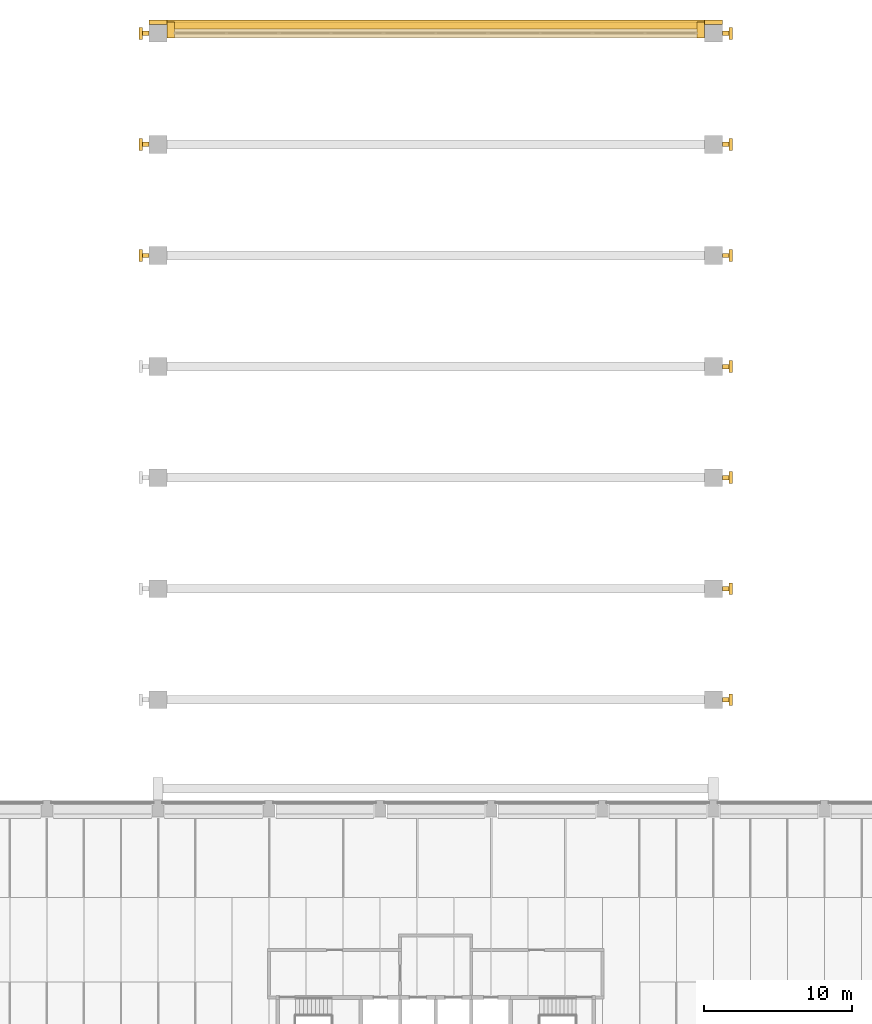
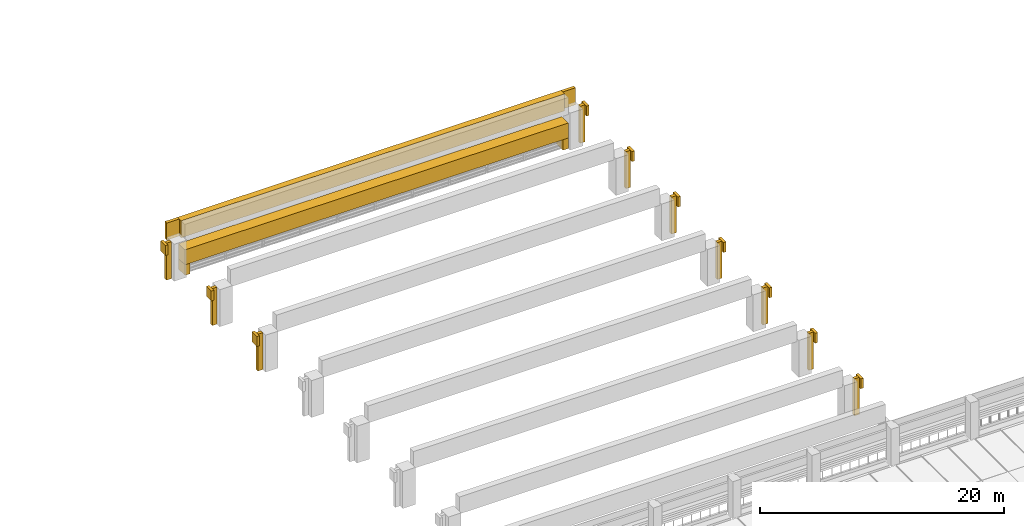
# One storey, part 50 of 61: 26 coverings.
"""IFC4 building model written with IfcOpenShell, lengths in metres."""

from ifc_helpers import new_model, si_unit, direction, frame, origin, place, context, subcontext, project, spatial, polyline, outline, extrude, material, layer, layer_set, type_object, element, save


model = new_model("IFC4")

# Units and contexts
model_context = context("Model", 3, precision=1e-05, world=origin(), true_north=direction((0.0, 1.0)))
body_context = subcontext(model_context, "Body", "Model", "MODEL_VIEW")
ifc_project = project(units=[si_unit("LENGTHUNIT", "METRE"), si_unit("AREAUNIT", "SQUARE_METRE"), si_unit("VOLUMEUNIT", "CUBIC_METRE"), si_unit("PLANEANGLEUNIT", "RADIAN"), si_unit("MASSUNIT", "GRAM", prefix="KILO")], contexts=[model_context])

# Site, building, storey
site_placement = place(None, origin())
site = spatial("IfcSite", under=ifc_project, at=site_placement, CompositionType="ELEMENT")
building_placement = place(site_placement, origin())
building = spatial("IfcBuilding", under=site, at=building_placement, Name="Cour d'Honneur Mobility Palace", CompositionType="ELEMENT")
storey_placement = place(building_placement, frame((0.0, 0.0, 11.89990234375)))
storey = spatial("IfcBuildingStorey", under=building, at=storey_placement, Name="L03", CompositionType="ELEMENT", Elevation=11.89990234375)

# Coverings
ifc_material_1 = material(Name="Cast limestone", Category="masonry")
ifc_layer_1 = layer(ifc_material_1, 0.300048828125)
ifc_layer_set_1 = layer_set([ifc_layer_1], Name="Cast limestone")
covering_type_1 = type_object("IfcCoveringType", Name="Pier fin", PredefinedType="CLADDING", material=ifc_layer_set_1)
covering_1_placement = place(storey_placement, origin())
element("IfcCovering", 1, at=covering_1_placement, inside=storey, type_object=covering_type_1, Name="Pier fin HP-E2 L03", PredefinedType="CLADDING", context=body_context, shape_type="SweptSolid", body=[
    extrude(outline(polyline([(100.5, 69.75), (100.949951171875, 69.75), (100.949951171875, 70.050048828125), (100.5, 70.050048828125), (100.5, 69.75)])), origin(), (0.0, 0.0, 1.0), 3.7001953125),
])
covering_2_placement = place(storey_placement, origin())
element("IfcCovering", 2, at=covering_2_placement, inside=storey, type_object=covering_type_1, Name="Pier fin HP-E3 L03", PredefinedType="CLADDING", context=body_context, shape_type="SweptSolid", body=[
    extrude(outline(polyline([(100.5, 77.25), (100.949951171875, 77.25), (100.949951171875, 77.550048828125), (100.5, 77.550048828125), (100.5, 77.25)])), origin(), (0.0, 0.0, 1.0), 3.7001953125),
])
covering_3_placement = place(storey_placement, origin())
element("IfcCovering", 3, at=covering_3_placement, inside=storey, type_object=covering_type_1, Name="Pier fin HP-E4 L03", PredefinedType="CLADDING", context=body_context, shape_type="SweptSolid", body=[
    extrude(outline(polyline([(100.5, 84.75), (100.949951171875, 84.75), (100.949951171875, 85.050048828125), (100.5, 85.050048828125), (100.5, 84.75)])), origin(), (0.0, 0.0, 1.0), 3.7001953125),
])
covering_4_placement = place(storey_placement, origin())
element("IfcCovering", 4, at=covering_4_placement, inside=storey, type_object=covering_type_1, Name="Pier fin HP-E5 L03", PredefinedType="CLADDING", context=body_context, shape_type="SweptSolid", body=[
    extrude(outline(polyline([(100.5, 92.25), (100.949951171875, 92.25), (100.949951171875, 92.550048828125), (100.5, 92.550048828125), (100.5, 92.25)])), origin(), (0.0, 0.0, 1.0), 3.7001953125),
])
covering_5_placement = place(storey_placement, origin())
element("IfcCovering", 5, at=covering_5_placement, inside=storey, type_object=covering_type_1, Name="Pier fin HP-W6 L03", PredefinedType="CLADDING", context=body_context, shape_type="SweptSolid", body=[
    extrude(outline(polyline([(61.35009765625, 99.75), (61.800048828125, 99.75), (61.800048828125, 100.050048828125), (61.35009765625, 100.050048828125), (61.35009765625, 99.75)])), origin(), (0.0, 0.0, 1.0), 3.7001953125),
])
covering_6_placement = place(storey_placement, origin())
element("IfcCovering", 6, at=covering_6_placement, inside=storey, type_object=covering_type_1, Name="Pier fin HP-E6 L03", PredefinedType="CLADDING", context=body_context, shape_type="SweptSolid", body=[
    extrude(outline(polyline([(100.5, 99.75), (100.949951171875, 99.75), (100.949951171875, 100.050048828125), (100.5, 100.050048828125), (100.5, 99.75)])), origin(), (0.0, 0.0, 1.0), 3.7001953125),
])
covering_7_placement = place(storey_placement, origin())
element("IfcCovering", 7, at=covering_7_placement, inside=storey, type_object=covering_type_1, Name="Pier fin HP-W7 L03", PredefinedType="CLADDING", context=body_context, shape_type="SweptSolid", body=[
    extrude(outline(polyline([(61.35009765625, 107.25), (61.800048828125, 107.25), (61.800048828125, 107.550048828125), (61.35009765625, 107.550048828125), (61.35009765625, 107.25)])), origin(), (0.0, 0.0, 1.0), 3.7001953125),
])
covering_8_placement = place(storey_placement, origin())
element("IfcCovering", 8, at=covering_8_placement, inside=storey, type_object=covering_type_1, Name="Pier fin HP-E7 L03", PredefinedType="CLADDING", context=body_context, shape_type="SweptSolid", body=[
    extrude(outline(polyline([(100.5, 107.25), (100.949951171875, 107.25), (100.949951171875, 107.550048828125), (100.5, 107.550048828125), (100.5, 107.25)])), origin(), (0.0, 0.0, 1.0), 3.7001953125),
])
covering_9_placement = place(storey_placement, origin())
element("IfcCovering", 9, at=covering_9_placement, inside=storey, type_object=covering_type_1, Name="Pier fin HP-W8 L03", PredefinedType="CLADDING", context=body_context, shape_type="SweptSolid", body=[
    extrude(outline(polyline([(61.35009765625, 114.75), (61.800048828125, 114.75), (61.800048828125, 115.050048828125), (61.35009765625, 115.050048828125), (61.35009765625, 114.75)])), origin(), (0.0, 0.0, 1.0), 3.7001953125),
])
covering_10_placement = place(storey_placement, origin())
element("IfcCovering", 10, at=covering_10_placement, inside=storey, type_object=covering_type_1, Name="Pier fin HP-E8 L03", PredefinedType="CLADDING", context=body_context, shape_type="SweptSolid", body=[
    extrude(outline(polyline([(100.5, 114.75), (100.949951171875, 114.75), (100.949951171875, 115.050048828125), (100.5, 115.050048828125), (100.5, 114.75)])), origin(), (0.0, 0.0, 1.0), 3.7001953125),
])
ifc_material_2 = material(Name="Cast limestone", Category="masonry")
ifc_layer_2 = layer(ifc_material_2, 0.1201171875)
ifc_layer_set_2 = layer_set([ifc_layer_2], Name="Cast limestone")
covering_type_2 = type_object("IfcCoveringType", Name="Pilaster capital", PredefinedType="CLADDING", material=ifc_layer_set_2)
covering_11_placement = place(storey_placement, frame((0.0, 0.0, 2.7001953125)))
element("IfcCovering", 11, at=covering_11_placement, inside=storey, type_object=covering_type_2, Name="Hall pilaster capital HP-E2", PredefinedType="CLADDING", context=body_context, shape_type="SweptSolid", body=[
    extrude(outline(polyline([(100.949951171875, 69.5), (101.199951171875, 69.5), (101.199951171875, 70.300048828125), (100.949951171875, 70.300048828125), (100.949951171875, 69.5)])), origin(), (0.0, 0.0, 1.0), 1.0),
])
covering_12_placement = place(storey_placement, frame((0.0, 0.0, 2.7001953125)))
element("IfcCovering", 12, at=covering_12_placement, inside=storey, type_object=covering_type_2, Name="Hall pilaster capital HP-E3", PredefinedType="CLADDING", context=body_context, shape_type="SweptSolid", body=[
    extrude(outline(polyline([(100.949951171875, 77.0), (101.199951171875, 77.0), (101.199951171875, 77.800048828125), (100.949951171875, 77.800048828125), (100.949951171875, 77.0)])), origin(), (0.0, 0.0, 1.0), 1.0),
])
covering_13_placement = place(storey_placement, frame((0.0, 0.0, 2.7001953125)))
element("IfcCovering", 13, at=covering_13_placement, inside=storey, type_object=covering_type_2, Name="Hall pilaster capital HP-E4", PredefinedType="CLADDING", context=body_context, shape_type="SweptSolid", body=[
    extrude(outline(polyline([(100.949951171875, 84.5), (101.199951171875, 84.5), (101.199951171875, 85.300048828125), (100.949951171875, 85.300048828125), (100.949951171875, 84.5)])), origin(), (0.0, 0.0, 1.0), 1.0),
])
covering_14_placement = place(storey_placement, frame((0.0, 0.0, 2.7001953125)))
element("IfcCovering", 14, at=covering_14_placement, inside=storey, type_object=covering_type_2, Name="Hall pilaster capital HP-E5", PredefinedType="CLADDING", context=body_context, shape_type="SweptSolid", body=[
    extrude(outline(polyline([(100.949951171875, 92.0), (101.199951171875, 92.0), (101.199951171875, 92.800048828125), (100.949951171875, 92.800048828125), (100.949951171875, 92.0)])), origin(), (0.0, 0.0, 1.0), 1.0),
])
covering_15_placement = place(storey_placement, frame((0.0, 0.0, 2.7001953125)))
element("IfcCovering", 15, at=covering_15_placement, inside=storey, type_object=covering_type_2, Name="Hall pilaster capital HP-W6", PredefinedType="CLADDING", context=body_context, shape_type="SweptSolid", body=[
    extrude(outline(polyline([(61.10009765625, 99.5), (61.35009765625, 99.5), (61.35009765625, 100.300048828125), (61.10009765625, 100.300048828125), (61.10009765625, 99.5)])), origin(), (0.0, 0.0, 1.0), 1.0),
])
covering_16_placement = place(storey_placement, frame((0.0, 0.0, 2.7001953125)))
element("IfcCovering", 16, at=covering_16_placement, inside=storey, type_object=covering_type_2, Name="Hall pilaster capital HP-E6", PredefinedType="CLADDING", context=body_context, shape_type="SweptSolid", body=[
    extrude(outline(polyline([(100.949951171875, 99.5), (101.199951171875, 99.5), (101.199951171875, 100.300048828125), (100.949951171875, 100.300048828125), (100.949951171875, 99.5)])), origin(), (0.0, 0.0, 1.0), 1.0),
])
covering_17_placement = place(storey_placement, frame((0.0, 0.0, 2.7001953125)))
element("IfcCovering", 17, at=covering_17_placement, inside=storey, type_object=covering_type_2, Name="Hall pilaster capital HP-W7", PredefinedType="CLADDING", context=body_context, shape_type="SweptSolid", body=[
    extrude(outline(polyline([(61.10009765625, 107.0), (61.35009765625, 107.0), (61.35009765625, 107.800048828125), (61.10009765625, 107.800048828125), (61.10009765625, 107.0)])), origin(), (0.0, 0.0, 1.0), 1.0),
])
covering_18_placement = place(storey_placement, frame((0.0, 0.0, 2.7001953125)))
element("IfcCovering", 18, at=covering_18_placement, inside=storey, type_object=covering_type_2, Name="Hall pilaster capital HP-E7", PredefinedType="CLADDING", context=body_context, shape_type="SweptSolid", body=[
    extrude(outline(polyline([(100.949951171875, 107.0), (101.199951171875, 107.0), (101.199951171875, 107.800048828125), (100.949951171875, 107.800048828125), (100.949951171875, 107.0)])), origin(), (0.0, 0.0, 1.0), 1.0),
])
covering_19_placement = place(storey_placement, frame((0.0, 0.0, 2.7001953125)))
element("IfcCovering", 19, at=covering_19_placement, inside=storey, type_object=covering_type_2, Name="Hall pilaster capital HP-W8", PredefinedType="CLADDING", context=body_context, shape_type="SweptSolid", body=[
    extrude(outline(polyline([(61.10009765625, 114.5), (61.35009765625, 114.5), (61.35009765625, 115.300048828125), (61.10009765625, 115.300048828125), (61.10009765625, 114.5)])), origin(), (0.0, 0.0, 1.0), 1.0),
])
covering_20_placement = place(storey_placement, frame((0.0, 0.0, 2.7001953125)))
element("IfcCovering", 20, at=covering_20_placement, inside=storey, type_object=covering_type_2, Name="Hall pilaster capital HP-E8", PredefinedType="CLADDING", context=body_context, shape_type="SweptSolid", body=[
    extrude(outline(polyline([(100.949951171875, 114.5), (101.199951171875, 114.5), (101.199951171875, 115.300048828125), (100.949951171875, 115.300048828125), (100.949951171875, 114.5)])), origin(), (0.0, 0.0, 1.0), 1.0),
])
ifc_material_3 = material(Name="Cast limestone", Category="masonry")
ifc_layer_3 = layer(ifc_material_3, 0.75)
ifc_layer_set_3 = layer_set([ifc_layer_3], Name="Cast limestone")
covering_type_3 = type_object("IfcCoveringType", Name="Portal architrave", PredefinedType="CLADDING", material=ifc_layer_set_3)
covering_21_placement = place(storey_placement, origin())
element("IfcCovering", 21, at=covering_21_placement, inside=storey, type_object=covering_type_3, Name="Portal jamb L03", PredefinedType="CLADDING", context=body_context, shape_type="SweptSolid", body=[
    extrude(outline(polyline([(63.0, 114.60009765625), (63.5, 114.60009765625), (63.5, 115.64990234375), (63.0, 115.64990234375), (63.0, 114.60009765625)])), origin(), (0.0, 0.0, 1.0), 1.050048828125),
])
covering_22_placement = place(storey_placement, origin())
element("IfcCovering", 22, at=covering_22_placement, inside=storey, type_object=covering_type_3, Name="Portal jamb L03", PredefinedType="CLADDING", context=body_context, shape_type="SweptSolid", body=[
    extrude(outline(polyline([(98.800048828125, 114.60009765625), (99.300048828125, 114.60009765625), (99.300048828125, 115.64990234375), (98.800048828125, 115.64990234375), (98.800048828125, 114.60009765625)])), origin(), (0.0, 0.0, 1.0), 1.050048828125),
])
covering_23_placement = place(storey_placement, frame((0.0, 0.0, 1.050048828125)))
element("IfcCovering", 23, at=covering_23_placement, inside=storey, type_object=covering_type_3, Name="Portal lintel L03", PredefinedType="CLADDING", context=body_context, shape_type="SweptSolid", body=[
    extrude(outline(polyline([(63.0, 114.60009765625), (99.300048828125, 114.60009765625), (99.300048828125, 115.64990234375), (63.0, 115.64990234375), (63.0, 114.60009765625)])), origin(), (0.0, 0.0, 1.0), 1.5),
])
ifc_material_4 = material(Name="Cast limestone", Category="masonry")
ifc_layer_4 = layer(ifc_material_4, 0.39990234375)
ifc_layer_set_4 = layer_set([ifc_layer_4], Name="Cast limestone")
covering_type_4 = type_object("IfcCoveringType", Name="Portal frieze", PredefinedType="CLADDING", material=ifc_layer_set_4)
covering_24_placement = place(storey_placement, frame((0.0, 0.0, 3.400146484375)))
element("IfcCovering", 24, at=covering_24_placement, inside=storey, type_object=covering_type_4, Name="Portal frieze centre", PredefinedType="CLADDING", context=body_context, shape_type="SweptSolid", body=[
    extrude(outline(polyline([(63.0, 115.199951171875), (99.300048828125, 115.199951171875), (99.300048828125, 115.800048828125), (63.0, 115.800048828125), (63.0, 115.199951171875)])), origin(), (0.0, 0.0, 1.0), 1.699951171875),
])
covering_25_placement = place(storey_placement, frame((0.0, 0.0, 3.400146484375)))
element("IfcCovering", 25, at=covering_25_placement, inside=storey, type_object=covering_type_4, Name="Portal frieze west", PredefinedType="CLADDING", context=body_context, shape_type="SweptSolid", body=[
    extrude(outline(polyline([(61.800048828125, 115.5), (63.0, 115.5), (63.0, 115.800048828125), (61.800048828125, 115.800048828125), (61.800048828125, 115.5)])), origin(), (0.0, 0.0, 1.0), 1.699951171875),
])
covering_26_placement = place(storey_placement, frame((0.0, 0.0, 3.400146484375)))
element("IfcCovering", 26, at=covering_26_placement, inside=storey, type_object=covering_type_4, Name="Portal frieze east", PredefinedType="CLADDING", context=body_context, shape_type="SweptSolid", body=[
    extrude(outline(polyline([(99.300048828125, 115.5), (100.5, 115.5), (100.5, 115.800048828125), (99.300048828125, 115.800048828125), (99.300048828125, 115.5)])), origin(), (0.0, 0.0, 1.0), 1.699951171875),
])

save(model, "model.ifc")
